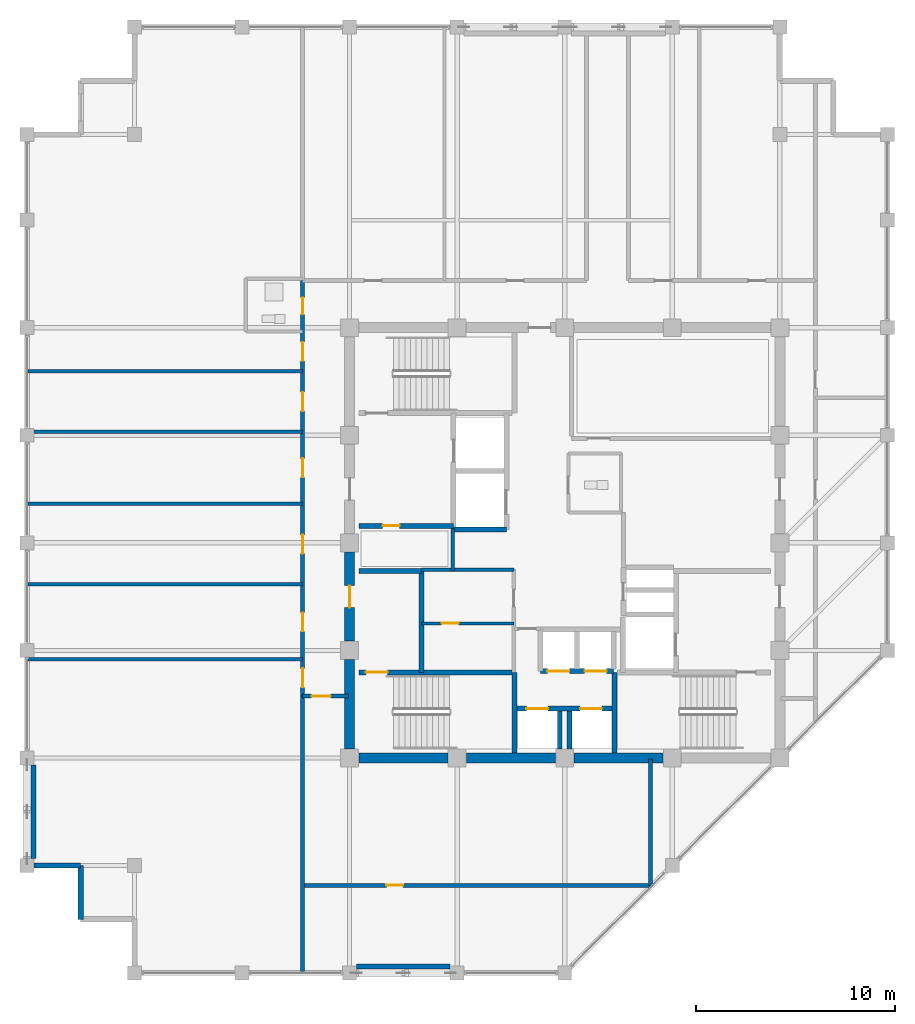
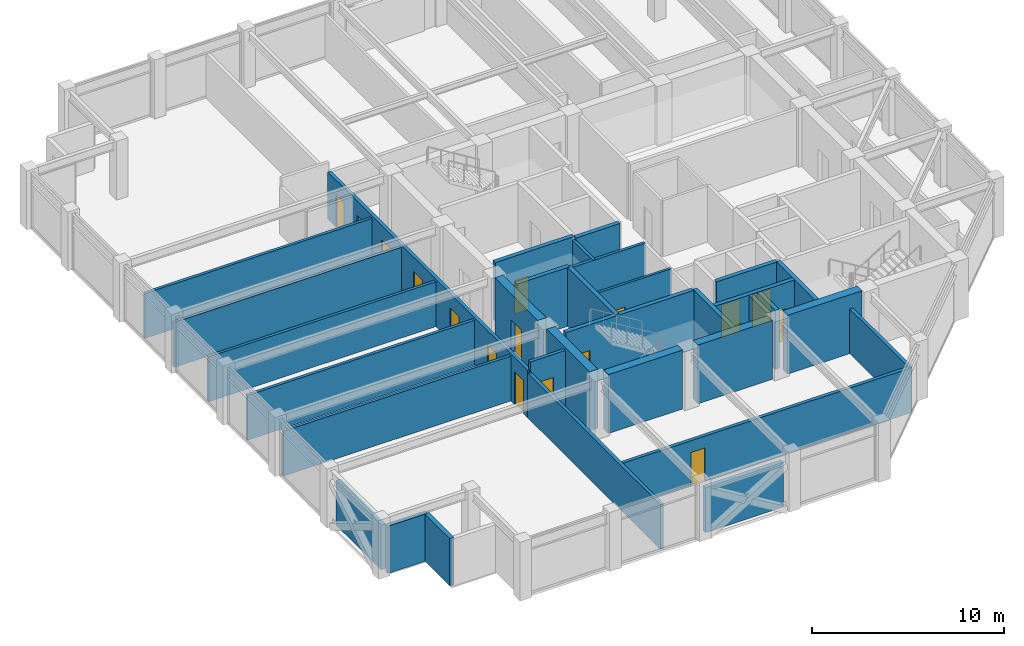
# One storey, part 26 of 30: 33 walls, 17 doors, 17 openings.
"""IFC4 building model written with IfcOpenShell, lengths in metres."""

import ifcopenshell
import ifcopenshell.guid

model = None  # the IFC model being written
_history = None  # IfcOwnerHistory: only IFC2X3 demands one
_inside = {}  # id of a spatial element -> (the spatial element, [elements in it])
_under = {}  # id of a project, library or spatial element -> (it, [spatial elements below it])
_declared = {}  # id of a project -> (the project, [libraries it declares])
_typed = {}  # id of a type object -> (the type object, [elements of that type])
_made_of = {}  # id of a material, layer set ... -> (it, [elements and type objects made of it])


def new_model(schema):
    """Start an empty IFC model of exactly this schema.

    Asked for "IFC4X3", IfcOpenShell would pick the latest addendum, in which some entities
    have other attributes; the version numbers below select the first issue.
    IFC2X3 requires an IfcOwnerHistory on every rooted entity: one is made here for all.
    """
    global model, _history
    if schema == "IFC4X3":
        model = ifcopenshell.file(schema_version=(4, 3, 0, 0))
    else:
        model = ifcopenshell.file(schema=schema)
    _inside.clear()
    _under.clear()
    _declared.clear()
    _typed.clear()
    _made_of.clear()
    _history = None
    if model.schema == "IFC2X3":
        org = make("IfcOrganization", Name="unknown")
        user = make(
            "IfcPersonAndOrganization",
            ThePerson=make("IfcPerson", FamilyName="unknown"),
            TheOrganization=org,
        )
        app = make(
            "IfcApplication",
            ApplicationDeveloper=org,
            Version="unknown",
            ApplicationFullName="unknown",
            ApplicationIdentifier="unknown",
        )
        _history = make(
            "IfcOwnerHistory",
            OwningUser=user,
            OwningApplication=app,
            ChangeAction="ADDED",
            CreationDate=0,
        )
    return model


def make(cls, **values):
    """One entity of the class cls with the attributes given. An attribute that is None is left unset."""
    return model.create_entity(
        cls, **{name: value for name, value in values.items() if value is not None}
    )


def rooted(cls, **values):
    """An entity with a GlobalId (a new one), such as an element, a storey or a relation."""
    return make(cls, GlobalId=ifcopenshell.guid.new(), OwnerHistory=_history, **values)


def si_unit(unit_type, name, prefix=None):
    """IfcSIUnit, for example si_unit("LENGTHUNIT", "METRE", prefix="MILLI")."""
    return make("IfcSIUnit", UnitType=unit_type, Prefix=prefix, Name=name)


def assignment(units):
    """IfcUnitAssignment: the units of a project."""
    return None if units is None else make("IfcUnitAssignment", Units=units)


def point(xyz):
    """IfcCartesianPoint."""
    return None if xyz is None else make("IfcCartesianPoint", Coordinates=xyz)


def direction(xyz):
    """IfcDirection."""
    return None if xyz is None else make("IfcDirection", DirectionRatios=xyz)


def frame(location, z_axis=None, x_axis=None):
    """IfcAxis2Placement3D, a coordinate frame: its origin and axes. An axis left out is left unset."""
    return make(
        "IfcAxis2Placement3D",
        Location=point(location),
        Axis=direction(z_axis),
        RefDirection=direction(x_axis),
    )


def frame_2d(location, x_axis=None):
    """IfcAxis2Placement2D, a coordinate frame in the plane: its origin and x axis."""
    return make(
        "IfcAxis2Placement2D", Location=point(location), RefDirection=direction(x_axis)
    )


def origin():
    """The frame at (0, 0, 0) with its axes left unset."""
    return frame((0.0, 0.0, 0.0))


def place(relative_to, where):
    """IfcLocalPlacement: puts the frame where relative to a parent placement (None: the world)."""
    return make(
        "IfcLocalPlacement", PlacementRelTo=relative_to, RelativePlacement=where
    )


def context(
    kind, dimensions, precision=None, world=None, true_north=None, identifier=None
):
    """IfcGeometricRepresentationContext, for example the 3D "Model" context."""
    return make(
        "IfcGeometricRepresentationContext",
        ContextIdentifier=identifier,
        ContextType=kind,
        CoordinateSpaceDimension=dimensions,
        Precision=precision,
        WorldCoordinateSystem=world,
        TrueNorth=true_north,
    )


def subcontext(parent, identifier, kind, view, scale=None):
    """IfcGeometricRepresentationSubContext, for example "Body" below "Model"."""
    return make(
        "IfcGeometricRepresentationSubContext",
        ContextIdentifier=identifier,
        ContextType=kind,
        ParentContext=parent,
        TargetScale=scale,
        TargetView=view,
    )


def project(units=None, contexts=None):
    """IfcProject with its units and contexts."""
    return rooted(
        "IfcProject",
        Name="project",
        RepresentationContexts=contexts,
        UnitsInContext=assignment(units),
    )


def spatial(cls, under=None, at=None, **own):
    """A site, building, storey or space (cls), placed at a placement, below another one or the project."""
    s = rooted(cls, ObjectPlacement=at, **own)
    if under is not None:
        _under.setdefault(under.id(), (under, []))[1].append(s)
    return s


def profile(cls, at=None, kind="AREA", **sizes):
    """A parametric profile (cls). Its sizes go by their IFC names, for example OverallWidth=200.0."""
    return make(cls, ProfileType=kind, Position=at, **sizes)


def rectangle(**sizes):
    """IfcRectangleProfileDef."""
    return profile("IfcRectangleProfileDef", **sizes)


def extrude(swept, where, along, depth):
    """IfcExtrudedAreaSolid: the profile swept, set in the frame where, extruded along a direction by depth."""
    return make(
        "IfcExtrudedAreaSolid",
        SweptArea=swept,
        Position=where,
        ExtrudedDirection=direction(along),
        Depth=depth,
    )


def shape(context_of_items, identifier, shape_type, items):
    """IfcShapeRepresentation: the items that make up one representation, for example the "Body"."""
    return make(
        "IfcShapeRepresentation",
        ContextOfItems=context_of_items,
        RepresentationIdentifier=identifier,
        RepresentationType=shape_type,
        Items=items,
    )


def material(Name=None, Category=None):
    """IfcMaterial."""
    return make("IfcMaterial", Name=Name, Category=Category)


def layer(
    of_material, thickness, ventilated=None, Name=None, Category=None, Priority=None
):
    """IfcMaterialLayer: one layer of a wall or slab, of a material (None: an air gap)."""
    return make(
        "IfcMaterialLayer",
        Material=of_material,
        LayerThickness=thickness,
        IsVentilated=ventilated,
        Name=Name,
        Category=Category,
        Priority=Priority,
    )


def layer_set(layers, Name=None):
    """IfcMaterialLayerSet."""
    return make("IfcMaterialLayerSet", MaterialLayers=layers, LayerSetName=Name)


def made_of(thing, what):
    """Note that an element or type object is made of a material, layer set ...; save() writes the relation."""
    if what is not None:
        _made_of.setdefault(what.id(), (what, []))[1].append(thing)
    return thing


def type_object(cls, material=None, **own):
    """A type object (cls), such as IfcWallType, which elements share."""
    return made_of(rooted(cls, **own), material)


def element(
    cls,
    number,
    at=None,
    inside=None,
    cuts=None,
    type_object=None,
    material=None,
    context=None,
    identifier="Body",
    shape_type=None,
    held_by="IfcProductDefinitionShape",
    body=None,
    shapes=None,
    **own,
):
    """One element of the class cls, such as IfcWall. Its Tag is "e" and its number.

    at: its placement. inside: the storey or other place that contains it. cuts: it is an
    opening in that element (IfcRelVoidsElement). A single representation is given by context,
    identifier, shape_type and body (its items); several are given by shapes. held_by: the class
    of the entity that holds the representations. save() writes the other relations.
    """
    e = rooted(cls, Tag="e%d" % number, ObjectPlacement=at, **own)
    if body is not None:
        shapes = [shape(context, identifier, shape_type, body)]
    if shapes is not None:
        e.Representation = make(held_by, Representations=shapes)
    if inside is not None:
        _inside.setdefault(inside.id(), (inside, []))[1].append(e)
    if cuts is not None:
        rooted(
            "IfcRelVoidsElement", RelatingBuildingElement=cuts, RelatedOpeningElement=e
        )
    if type_object is not None:
        _typed.setdefault(type_object.id(), (type_object, []))[1].append(e)
    return made_of(e, material)


def fill(opening, filler):
    """IfcRelFillsElement: the door or window that sits in an opening."""
    return rooted(
        "IfcRelFillsElement",
        RelatingOpeningElement=opening,
        RelatedBuildingElement=filler,
    )


def aggregate(whole, parts):
    """IfcRelAggregates: a whole, such as a stair, and the parts it consists of."""
    return rooted("IfcRelAggregates", RelatingObject=whole, RelatedObjects=parts)


def save(model, path):
    """Write the relations noted so far, then the file.

    IfcRelAggregates (storeys below a building ...), IfcRelContainedInSpatialStructure (elements
    in a storey), IfcRelDefinesByType, IfcRelAssociatesMaterial and IfcRelDeclares: one each for
    every whole, place, type object, material and project.
    """
    for whole, parts in _under.values():
        aggregate(whole, parts)
    for where, things in _inside.values():
        rooted(
            "IfcRelContainedInSpatialStructure",
            RelatedElements=things,
            RelatingStructure=where,
        )
    for kind, things in _typed.values():
        rooted("IfcRelDefinesByType", RelatedObjects=things, RelatingType=kind)
    for what, things in _made_of.values():
        rooted("IfcRelAssociatesMaterial", RelatedObjects=things, RelatingMaterial=what)
    for by, libraries in _declared.values():
        rooted("IfcRelDeclares", RelatingContext=by, RelatedDefinitions=libraries)
    model.write(path)


model = new_model("IFC4")

# Units and contexts
model_context = context("Model", 3, precision=1e-05, world=origin(), true_north=direction((0.0, 1.0)))
body_context = subcontext(model_context, "Body", "Model", "MODEL_VIEW")
ifc_project = project(units=[si_unit("LENGTHUNIT", "METRE"), si_unit("AREAUNIT", "SQUARE_METRE"), si_unit("VOLUMEUNIT", "CUBIC_METRE"), si_unit("PLANEANGLEUNIT", "RADIAN"), si_unit("MASSUNIT", "GRAM", prefix="KILO")], contexts=[model_context])

# Site, building, storey
site_placement = place(None, origin())
site = spatial("IfcSite", under=ifc_project, at=site_placement, CompositionType="ELEMENT")
building_placement = place(site_placement, origin())
building = spatial("IfcBuilding", under=site, at=building_placement, Name="Surkhivell Harbour Commons", CompositionType="ELEMENT")
storey_placement = place(building_placement, frame((0.0, 0.0, 296.25)))
storey = spatial("IfcBuildingStorey", under=building, at=storey_placement, Name="L77", CompositionType="ELEMENT", Elevation=296.25)

# Walls
ifc_material_1 = material(Name="Concrete C50/60", Category="concrete")
ifc_layer_1 = layer(ifc_material_1, 0.5)
ifc_layer_set_1 = layer_set([ifc_layer_1], Name="Concrete C50/60")
wall_type_1 = type_object("IfcWallType", Name="WAL-CORE-500", PredefinedType="SHEAR", material=ifc_layer_set_1)
for number, where, z_axis, x_axis, name in (
    (1, (-10.340087890625, -10.800048828125, 0.0), (0.0, 0.0, 1.0), (1.0, 0.0, 0.0), "L77 Core Shear Wall South 1"),
    (2, (-10.800048828125, -10.340087890625, 0.0), (0.0, 0.0, 1.0), (0.0, 1.0, 0.0), "L77 Core Shear Wall West 1"),
    (3, (-4.93994140625, -10.800048828125, 0.0), (0.0, 0.0, 1.0), (1.0, 0.0, 0.0), "L77 Core Shear Wall South 2"),
):
    element("IfcWall", number, at=place(storey_placement, frame(where, z_axis=z_axis, x_axis=x_axis)), inside=storey, type_object=wall_type_1, Name=name, PredefinedType="SHEAR", context=body_context, shape_type="SweptSolid", body=[
        extrude(rectangle(XDim=4.47998046875, YDim=0.5, at=frame_2d((2.239990234375, 0.0))), origin(), (0.0, 0.0, 1.0), 3.75),
    ])

# Wall, opening, door
wall_1_placement = place(storey_placement, frame((-10.800048828125, -4.93994140625, 0.0), z_axis=(0.0, 0.0, 1.0), x_axis=(0.0, 1.0, 0.0)))
wall_1 = element("IfcWall", 4, at=wall_1_placement, inside=storey, type_object=wall_type_1, Name="L77 Core Shear Wall West 2", PredefinedType="SHEAR", context=body_context, shape_type="SweptSolid", body=[
    extrude(rectangle(XDim=4.47998046875, YDim=0.5, at=frame_2d((2.239990234375, 0.0))), origin(), (0.0, 0.0, 1.0), 3.75),
])
opening_1_placement = place(wall_1_placement, frame((1.68994140625, 0.0, 0.0)))
opening_1 = element("IfcOpeningElement", 5, at=opening_1_placement, cuts=wall_1, Name="Opening ID-2", PredefinedType="OPENING", context=body_context, shape_type="SweptSolid", body=[
    extrude(rectangle(XDim=1.10009765625, YDim=2.10009765625, at=frame_2d((0.550048828125, 1.050048828125))), frame((0.0, 0.260009765625, 0.0), z_axis=(0.0, -1.0, 0.0), x_axis=(1.0, 0.0, 0.0)), (0.0, 0.0, 1.0), 0.52001953125),
])
ifc_material_2 = material(Name="Hardwood-veneered fire-rated door leaf", Category="wood")
door_type_1 = type_object("IfcDoorType", Name="DOR-FD60-1100", OperationType="NOTDEFINED", PredefinedType="DOOR", material=ifc_material_2)
door_1_placement = place(opening_1_placement, origin())
door_1 = element("IfcDoor", 6, at=door_1_placement, inside=storey, type_object=door_type_1, Name="L77 Stair 3 Lobby Corridor Door", OperationType="SINGLE_SWING_LEFT", OverallHeight=2.10009765625, OverallWidth=1.10009765625, PredefinedType="DOOR", context=body_context, shape_type="SweptSolid", body=[
    extrude(rectangle(XDim=1.10009765625, YDim=2.10009765625, at=frame_2d((0.550048828125, 1.050048828125))), frame((0.0, 0.02490234375, 0.0), z_axis=(0.0, -1.0, 0.0), x_axis=(1.0, 0.0, 0.0)), (0.0, 0.0, 1.0), 0.050048828125),
])
fill(opening_1, door_1)

# Walls
wall_2_placement = place(storey_placement, frame((0.4599609375, -10.800048828125, 0.0), z_axis=(0.0, 0.0, 1.0), x_axis=(1.0, 0.0, 0.0)))
element("IfcWall", 7, at=wall_2_placement, inside=storey, type_object=wall_type_1, Name="L77 Core Shear Wall South 3", PredefinedType="SHEAR", context=body_context, shape_type="SweptSolid", body=[
    extrude(rectangle(XDim=4.47998046875, YDim=0.5, at=frame_2d((2.239990234375, 0.0))), origin(), (0.0, 0.0, 1.0), 3.75),
])
ifc_material_3 = material(Name="Pale-metal insulated precast concrete C45/55", Category="concrete")
ifc_layer_2 = layer(ifc_material_3, 0.260009765625)
ifc_layer_set_2 = layer_set([ifc_layer_2], Name="Pale-metal insulated precast concrete C45/55")
wall_type_2 = type_object("IfcWallType", Name="WAL-EXT-MTL260", PredefinedType="STANDARD", material=ifc_layer_set_2)
wall_3_placement = place(storey_placement, frame((-10.451904296875, -21.264892578125, 0.0), z_axis=(0.0, 0.0, 1.0), x_axis=(1.0, 0.0, 0.0)))
element("IfcWall", 8, at=wall_3_placement, inside=storey, type_object=wall_type_2, Name="L77 Braced-Bay Insulated Spandrel Backing S", PredefinedType="STANDARD", context=body_context, shape_type="SweptSolid", body=[
    extrude(rectangle(XDim=4.703857421875, YDim=0.260009765625, at=frame_2d((2.35205078125, 0.0))), origin(), (0.0, 0.0, 1.0), 2.85693359375),
])
wall_4_placement = place(storey_placement, frame((-26.6650390625, -11.14794921875, 0.0), z_axis=(0.0, 0.0, 1.0), x_axis=(0.0, -1.0, 0.0)))
element("IfcWall", 9, at=wall_4_placement, inside=storey, type_object=wall_type_2, Name="L77 Braced-Bay Insulated Spandrel Backing W", PredefinedType="STANDARD", context=body_context, shape_type="SweptSolid", body=[
    extrude(rectangle(XDim=4.7041015625, YDim=0.260009765625, at=frame_2d((2.35205078125, 0.0))), origin(), (0.0, 0.0, 1.0), 2.85693359375),
])
wall_5_placement = place(storey_placement, frame((-26.652099609375, -16.199951171875, 0.0), z_axis=(0.0, 0.0, 1.0), x_axis=(1.0, 0.0, 0.0)))
element("IfcWall", 10, at=wall_5_placement, inside=storey, type_object=wall_type_2, Name="L77 Serrated Corner Facade Wall 13", PredefinedType="STANDARD", context=body_context, shape_type="SweptSolid", body=[
    extrude(rectangle(XDim=2.35205078125, YDim=0.260009765625, at=frame_2d((1.176025390625, 0.0))), origin(), (0.0, 0.0, 1.0), 3.012939453125),
])
wall_6_placement = place(storey_placement, frame((-24.300048828125, -16.199951171875, 0.0), z_axis=(0.0, 0.0, 1.0), x_axis=(0.0, -1.0, 0.0)))
element("IfcWall", 11, at=wall_6_placement, inside=storey, type_object=wall_type_2, Name="L77 Serrated Corner Facade Wall 14", PredefinedType="STANDARD", context=body_context, shape_type="SweptSolid", body=[
    extrude(rectangle(XDim=2.699951171875, YDim=0.260009765625, at=frame_2d((1.35009765625, 0.0))), origin(), (0.0, 0.0, 1.0), 3.012939453125),
])

# Wall, opening, door
ifc_material_4 = material(Name="Twin-stud acoustic fireboard partition", Category="other")
ifc_layer_3 = layer(ifc_material_4, 0.14990234375)
ifc_layer_set_3 = layer_set([ifc_layer_3], Name="Twin-stud acoustic fireboard partition")
wall_type_3 = type_object("IfcWallType", Name="WAL-INT-150", PredefinedType="PARTITIONING", material=ifc_layer_set_3)
wall_7_placement = place(storey_placement, frame((-7.179931640625, -4.050048828125, 0.0), z_axis=(0.0, 0.0, 1.0), x_axis=(1.0, 0.0, 0.0)))
wall_7 = element("IfcWall", 12, at=wall_7_placement, inside=storey, type_object=wall_type_3, Name="L77 Core Cut A Partition", PredefinedType="PARTITIONING", context=body_context, shape_type="SweptSolid", body=[
    extrude(rectangle(XDim=4.6298828125, YDim=0.14990234375, at=frame_2d((2.31494140625, 0.0))), origin(), (0.0, 0.0, 1.0), 3.570068359375),
])
opening_2_placement = place(wall_7_placement, frame((1.0, 0.0, 0.0)))
opening_2 = element("IfcOpeningElement", 13, at=opening_2_placement, cuts=wall_7, Name="Opening ID-6", PredefinedType="OPENING", context=body_context, shape_type="SweptSolid", body=[
    extrude(rectangle(XDim=0.85009765625, YDim=2.10009765625, at=frame_2d((0.425048828125, 1.050048828125))), frame((0.0, 0.0849609375, 0.0), z_axis=(0.0, -1.0, 0.0), x_axis=(1.0, 0.0, 0.0)), (0.0, 0.0, 1.0), 0.169921875),
])
door_type_2 = type_object("IfcDoorType", Name="DOR-FD30-850", OperationType="NOTDEFINED", PredefinedType="DOOR", material=ifc_material_2)
door_2_placement = place(opening_2_placement, origin())
door_2 = element("IfcDoor", 14, at=door_2_placement, inside=storey, type_object=door_type_2, Name="L77 Linen Room Door", OperationType="SINGLE_SWING_RIGHT", OverallHeight=2.10009765625, OverallWidth=0.85009765625, PredefinedType="DOOR", context=body_context, shape_type="SweptSolid", body=[
    extrude(rectangle(XDim=0.85009765625, YDim=2.10009765625, at=frame_2d((0.425048828125, 1.050048828125))), frame((0.0, 0.02490234375, 0.0), z_axis=(0.0, -1.0, 0.0), x_axis=(1.0, 0.0, 0.0)), (0.0, 0.0, 1.0), 0.050048828125),
])
fill(opening_2, door_2)

# Walls
ifc_material_5 = material(Name="High-density acoustic blockwork fire partition", Category="masonry")
ifc_layer_4 = layer(ifc_material_5, 0.175048828125)
ifc_layer_set_4 = layer_set([ifc_layer_4], Name="High-density acoustic blockwork fire partition")
wall_type_4 = type_object("IfcWallType", Name="WAL-INT-175", PredefinedType="PARTITIONING", material=ifc_layer_set_4)
wall_8_placement = place(storey_placement, frame((-7.179931640625, -1.35009765625, 0.0), z_axis=(0.0, 0.0, 1.0), x_axis=(1.0, 0.0, 0.0)))
element("IfcWall", 15, at=wall_8_placement, inside=storey, type_object=wall_type_4, Name="L77 Core Service Bay North Wall", PredefinedType="PARTITIONING", context=body_context, shape_type="SweptSolid", body=[
    extrude(rectangle(XDim=4.6298828125, YDim=0.175048828125, at=frame_2d((2.31494140625, 0.0))), origin(), (0.0, 0.0, 1.0), 3.570068359375),
])
wall_9_placement = place(storey_placement, frame((-5.6201171875, -1.419921875, 0.0), z_axis=(0.0, 0.0, 1.0), x_axis=(0.0, 1.0, 0.0)))
element("IfcWall", 16, at=wall_9_placement, inside=storey, type_object=wall_type_4, Name="L77 West Core Bay East Wall", PredefinedType="PARTITIONING", context=body_context, shape_type="SweptSolid", body=[
    extrude(rectangle(XDim=2.139892578125, YDim=0.175048828125, at=frame_2d((1.06982421875, 0.0))), origin(), (0.0, 0.0, 1.0), 3.570068359375),
])
for number, where, z_axis, x_axis, name in (
    (17, (-26.93994140625, -2.090087890625, 0.0), (0.0, 0.0, 1.0), (1.0, 0.0, 0.0), "L77 West Partition BDP1"),
    (18, (-26.93994140625, 1.9599609375, 0.0), (0.0, 0.0, 1.0), (1.0, 0.0, 0.0), "L77 West Partition BDP2"),
    (19, (-26.93994140625, 5.570068359375, 0.0), (0.0, 0.0, 1.0), (1.0, 0.0, 0.0), "L77 West Partition BDP3"),
    (20, (-26.93994140625, -5.85009765625, 0.0), (0.0, 0.0, 1.0), (1.0, 0.0, 0.0), "L77 West Partition PBOT"),
    (21, (-26.93994140625, 8.610107421875, 0.0), (0.0, 0.0, 1.0), (1.0, 0.0, 0.0), "L77 West Partition PTOP"),
):
    element("IfcWall", number, at=place(storey_placement, frame(where, z_axis=z_axis, x_axis=x_axis)), inside=storey, type_object=wall_type_4, Name=name, PredefinedType="PARTITIONING", context=body_context, shape_type="SweptSolid", body=[
        extrude(rectangle(XDim=13.780029296875, YDim=0.175048828125, at=frame_2d((6.89013671875, 0.0))), origin(), (0.0, 0.0, 1.0), 2.85693359375),
    ])
ifc_material_6 = material(Name="Autoclaved aerated concrete blockwork and fire plaster", Category="masonry")
ifc_layer_5 = layer(ifc_material_6, 0.199951171875)
ifc_layer_set_5 = layer_set([ifc_layer_5], Name="Autoclaved aerated concrete blockwork and fire plaster")
wall_type_5 = type_object("IfcWallType", Name="WAL-INT-200", PredefinedType="PARTITIONING", material=ifc_layer_set_5)
wall_10_placement = place(storey_placement, frame((4.300048828125, -17.215087890625, 0.0), z_axis=(0.0, 0.0, 1.0), x_axis=(0.0, 1.0, 0.0)))
element("IfcWall", 22, at=wall_10_placement, inside=storey, type_object=wall_type_5, Name="L77 South Hall East Wall", PredefinedType="PARTITIONING", context=body_context, shape_type="SweptSolid", body=[
    extrude(rectangle(XDim=6.364990234375, YDim=0.199951171875, at=frame_2d((3.1826171875, 0.0))), origin(), (0.0, 0.0, 1.0), 2.85693359375),
])

# Wall, opening, door
wall_11_placement = place(storey_placement, frame((-13.159912109375, -17.199951171875, 0.0), z_axis=(0.0, 0.0, 1.0), x_axis=(1.0, 0.0, 0.0)))
wall_11 = element("IfcWall", 23, at=wall_11_placement, inside=storey, type_object=wall_type_5, Name="L77 South Wing Horizontal Partition", PredefinedType="PARTITIONING", context=body_context, shape_type="SweptSolid", body=[
    extrude(rectangle(XDim=17.4599609375, YDim=0.199951171875, at=frame_2d((8.72998046875, 0.0))), origin(), (0.0, 0.0, 1.0), 2.85693359375),
])
opening_3_placement = place(wall_11_placement, frame((4.199951171875, 0.0, 0.0)))
opening_3 = element("IfcOpeningElement", 24, at=opening_3_placement, cuts=wall_11, Name="Opening ID-6", PredefinedType="OPENING", context=body_context, shape_type="SweptSolid", body=[
    extrude(rectangle(XDim=0.85009765625, YDim=2.10009765625, at=frame_2d((0.425048828125, 1.050048828125))), frame((0.0, 0.10986328125, 0.0), z_axis=(0.0, -1.0, 0.0), x_axis=(1.0, 0.0, 0.0)), (0.0, 0.0, 1.0), 0.219970703125),
])
door_3_placement = place(opening_3_placement, origin())
door_3 = element("IfcDoor", 25, at=door_3_placement, inside=storey, type_object=door_type_2, Name="L77 South Music Door", OperationType="SINGLE_SWING_RIGHT", OverallHeight=2.10009765625, OverallWidth=0.85009765625, PredefinedType="DOOR", context=body_context, shape_type="SweptSolid", body=[
    extrude(rectangle(XDim=0.85009765625, YDim=2.10009765625, at=frame_2d((0.425048828125, 1.050048828125))), frame((0.0, 0.02490234375, 0.0), z_axis=(0.0, -1.0, 0.0), x_axis=(1.0, 0.0, 0.0)), (0.0, 0.0, 1.0), 0.050048828125),
])
fill(opening_3, door_3)

# Wall
wall_12_placement = place(storey_placement, frame((-13.159912109375, -21.5400390625, 0.0), z_axis=(0.0, 0.0, 1.0), x_axis=(0.0, 1.0, 0.0)))
element("IfcWall", 26, at=wall_12_placement, inside=storey, type_object=wall_type_5, Name="L77 South Hall West Divider", PredefinedType="PARTITIONING", context=body_context, shape_type="SweptSolid", body=[
    extrude(rectangle(XDim=13.840087890625, YDim=0.199951171875, at=frame_2d((6.919921875, 0.0))), origin(), (0.0, 0.0, 1.0), 2.85693359375),
])

# Wall, openings, doors
wall_13_placement = place(storey_placement, frame((-13.159912109375, -7.699951171875, 0.0), z_axis=(0.0, 0.0, 1.0), x_axis=(0.0, 1.0, 0.0)))
wall_13 = element("IfcWall", 27, at=wall_13_placement, inside=storey, type_object=wall_type_5, Name="L77 West Corridor Wall", PredefinedType="PARTITIONING", context=body_context, shape_type="SweptSolid", body=[
    extrude(rectangle(XDim=20.85986328125, YDim=0.199951171875, at=frame_2d((10.429931640625, 0.0))), origin(), (0.0, 0.0, 1.0), 3.012939453125),
])
opening_4_placement = place(wall_13_placement, frame((0.445068359375, 0.0, 0.0)))
opening_4 = element("IfcOpeningElement", 28, at=opening_4_placement, cuts=wall_13, Name="Opening ID-4", PredefinedType="OPENING", context=body_context, shape_type="SweptSolid", body=[
    extrude(rectangle(XDim=0.949951171875, YDim=2.10009765625, at=frame_2d((0.47509765625, 1.050048828125))), frame((0.0, 0.10986328125, 0.0), z_axis=(0.0, -1.0, 0.0), x_axis=(1.0, 0.0, 0.0)), (0.0, 0.0, 1.0), 0.219970703125),
])
opening_5_placement = place(wall_13_placement, frame((19.1650390625, 0.0, 0.0)))
opening_5 = element("IfcOpeningElement", 29, at=opening_5_placement, cuts=wall_13, Name="Opening ID-6", PredefinedType="OPENING", context=body_context, shape_type="SweptSolid", body=[
    extrude(rectangle(XDim=0.85009765625, YDim=2.10009765625, at=frame_2d((0.425048828125, 1.050048828125))), frame((0.0, 0.10986328125, 0.0), z_axis=(0.0, -1.0, 0.0), x_axis=(1.0, 0.0, 0.0)), (0.0, 0.0, 1.0), 0.219970703125),
])
opening_6_placement = place(wall_13_placement, frame((16.830078125, 0.0, 0.0)))
opening_6 = element("IfcOpeningElement", 30, at=opening_6_placement, cuts=wall_13, Name="Opening ID-4", PredefinedType="OPENING", context=body_context, shape_type="SweptSolid", body=[
    extrude(rectangle(XDim=0.949951171875, YDim=2.10009765625, at=frame_2d((0.47509765625, 1.050048828125))), frame((0.0, 0.10986328125, 0.0), z_axis=(0.0, -1.0, 0.0), x_axis=(1.0, 0.0, 0.0)), (0.0, 0.0, 1.0), 0.219970703125),
])
opening_7_placement = place(wall_13_placement, frame((3.25, 0.0, 0.0)))
opening_7 = element("IfcOpeningElement", 31, at=opening_7_placement, cuts=wall_13, Name="Opening ID-4", PredefinedType="OPENING", context=body_context, shape_type="SweptSolid", body=[
    extrude(rectangle(XDim=0.949951171875, YDim=2.10009765625, at=frame_2d((0.47509765625, 1.050048828125))), frame((0.0, 0.10986328125, 0.0), z_axis=(0.0, -1.0, 0.0), x_axis=(1.0, 0.0, 0.0)), (0.0, 0.0, 1.0), 0.219970703125),
])
opening_8_placement = place(wall_13_placement, frame((7.155029296875, 0.0, 0.0)))
opening_8 = element("IfcOpeningElement", 32, at=opening_8_placement, cuts=wall_13, Name="Opening ID-4", PredefinedType="OPENING", context=body_context, shape_type="SweptSolid", body=[
    extrude(rectangle(XDim=0.949951171875, YDim=2.10009765625, at=frame_2d((0.47509765625, 1.050048828125))), frame((0.0, 0.10986328125, 0.0), z_axis=(0.0, -1.0, 0.0), x_axis=(1.0, 0.0, 0.0)), (0.0, 0.0, 1.0), 0.219970703125),
])
opening_9_placement = place(wall_13_placement, frame((10.985107421875, 0.0, 0.0)))
opening_9 = element("IfcOpeningElement", 33, at=opening_9_placement, cuts=wall_13, Name="Opening ID-4", PredefinedType="OPENING", context=body_context, shape_type="SweptSolid", body=[
    extrude(rectangle(XDim=0.949951171875, YDim=2.10009765625, at=frame_2d((0.47509765625, 1.050048828125))), frame((0.0, 0.10986328125, 0.0), z_axis=(0.0, -1.0, 0.0), x_axis=(1.0, 0.0, 0.0)), (0.0, 0.0, 1.0), 0.219970703125),
])
opening_10_placement = place(wall_13_placement, frame((14.31005859375, 0.0, 0.0)))
opening_10 = element("IfcOpeningElement", 34, at=opening_10_placement, cuts=wall_13, Name="Opening ID-4", PredefinedType="OPENING", context=body_context, shape_type="SweptSolid", body=[
    extrude(rectangle(XDim=0.949951171875, YDim=2.10009765625, at=frame_2d((0.47509765625, 1.050048828125))), frame((0.0, 0.10986328125, 0.0), z_axis=(0.0, -1.0, 0.0), x_axis=(1.0, 0.0, 0.0)), (0.0, 0.0, 1.0), 0.219970703125),
])
door_4_placement = place(opening_5_placement, origin())
door_4 = element("IfcDoor", 35, at=door_4_placement, inside=storey, type_object=door_type_2, Name="L77 Communal Shower Bathroom West Door", OperationType="SINGLE_SWING_LEFT", OverallHeight=2.10009765625, OverallWidth=0.85009765625, PredefinedType="DOOR", context=body_context, shape_type="SweptSolid", body=[
    extrude(rectangle(XDim=0.85009765625, YDim=2.10009765625, at=frame_2d((0.425048828125, 1.050048828125))), frame((0.0, 0.02490234375, 0.0), z_axis=(0.0, -1.0, 0.0), x_axis=(1.0, 0.0, 0.0)), (0.0, 0.0, 1.0), 0.050048828125),
])
fill(opening_5, door_4)
door_type_3 = type_object("IfcDoorType", Name="DOR-FD60-950", OperationType="NOTDEFINED", PredefinedType="DOOR", material=ifc_material_2)
door_5_placement = place(opening_4_placement, origin())
door_5 = element("IfcDoor", 36, at=door_5_placement, inside=storey, type_object=door_type_3, Name="L77 Shared Communal Kitchen West Door", OperationType="SINGLE_SWING_RIGHT", OverallHeight=2.10009765625, OverallWidth=0.949951171875, PredefinedType="DOOR", context=body_context, shape_type="SweptSolid", body=[
    extrude(rectangle(XDim=0.949951171875, YDim=2.10009765625, at=frame_2d((0.47509765625, 1.050048828125))), frame((0.0, 0.02490234375, 0.0), z_axis=(0.0, -1.0, 0.0), x_axis=(1.0, 0.0, 0.0)), (0.0, 0.0, 1.0), 0.050048828125),
])
fill(opening_4, door_5)
door_6_placement = place(opening_6_placement, origin())
door_6 = element("IfcDoor", 37, at=door_6_placement, inside=storey, type_object=door_type_3, Name="L77 Academic Reading Commons West Door", OperationType="SINGLE_SWING_RIGHT", OverallHeight=2.10009765625, OverallWidth=0.949951171875, PredefinedType="DOOR", context=body_context, shape_type="SweptSolid", body=[
    extrude(rectangle(XDim=0.949951171875, YDim=2.10009765625, at=frame_2d((0.47509765625, 1.050048828125))), frame((0.0, 0.02490234375, 0.0), z_axis=(0.0, -1.0, 0.0), x_axis=(1.0, 0.0, 0.0)), (0.0, 0.0, 1.0), 0.050048828125),
])
fill(opening_6, door_6)
door_7_placement = place(opening_7_placement, origin())
door_7 = element("IfcDoor", 38, at=door_7_placement, inside=storey, type_object=door_type_3, Name="L77 Hostel Cluster Bedroom 1 West Door", OperationType="SINGLE_SWING_LEFT", OverallHeight=2.10009765625, OverallWidth=0.949951171875, PredefinedType="DOOR", context=body_context, shape_type="SweptSolid", body=[
    extrude(rectangle(XDim=0.949951171875, YDim=2.10009765625, at=frame_2d((0.47509765625, 1.050048828125))), frame((0.0, 0.02490234375, 0.0), z_axis=(0.0, -1.0, 0.0), x_axis=(1.0, 0.0, 0.0)), (0.0, 0.0, 1.0), 0.050048828125),
])
fill(opening_7, door_7)
door_8_placement = place(opening_8_placement, origin())
door_8 = element("IfcDoor", 39, at=door_8_placement, inside=storey, type_object=door_type_3, Name="L77 Co-Living Dormitory Bedroom 2 West Door", OperationType="SINGLE_SWING_RIGHT", OverallHeight=2.10009765625, OverallWidth=0.949951171875, PredefinedType="DOOR", context=body_context, shape_type="SweptSolid", body=[
    extrude(rectangle(XDim=0.949951171875, YDim=2.10009765625, at=frame_2d((0.47509765625, 1.050048828125))), frame((0.0, 0.02490234375, 0.0), z_axis=(0.0, -1.0, 0.0), x_axis=(1.0, 0.0, 0.0)), (0.0, 0.0, 1.0), 0.050048828125),
])
fill(opening_8, door_8)
door_9_placement = place(opening_9_placement, origin())
door_9 = element("IfcDoor", 40, at=door_9_placement, inside=storey, type_object=door_type_3, Name="L77 Hostel Cluster Bedroom 3 West Door", OperationType="SINGLE_SWING_LEFT", OverallHeight=2.10009765625, OverallWidth=0.949951171875, PredefinedType="DOOR", context=body_context, shape_type="SweptSolid", body=[
    extrude(rectangle(XDim=0.949951171875, YDim=2.10009765625, at=frame_2d((0.47509765625, 1.050048828125))), frame((0.0, 0.02490234375, 0.0), z_axis=(0.0, -1.0, 0.0), x_axis=(1.0, 0.0, 0.0)), (0.0, 0.0, 1.0), 0.050048828125),
])
fill(opening_9, door_9)
door_10_placement = place(opening_10_placement, origin())
door_10 = element("IfcDoor", 41, at=door_10_placement, inside=storey, type_object=door_type_3, Name="L77 Co-Living Dormitory Bedroom 4 West Door", OperationType="SINGLE_SWING_RIGHT", OverallHeight=2.10009765625, OverallWidth=0.949951171875, PredefinedType="DOOR", context=body_context, shape_type="SweptSolid", body=[
    extrude(rectangle(XDim=0.949951171875, YDim=2.10009765625, at=frame_2d((0.47509765625, 1.050048828125))), frame((0.0, 0.02490234375, 0.0), z_axis=(0.0, -1.0, 0.0), x_axis=(1.0, 0.0, 0.0)), (0.0, 0.0, 1.0), 0.050048828125),
])
fill(opening_10, door_10)

# Wall, opening, door
wall_14_placement = place(storey_placement, frame((-13.159912109375, -7.699951171875, 0.0), z_axis=(0.0, 0.0, 1.0), x_axis=(1.0, 0.0, 0.0)))
wall_14 = element("IfcWall", 42, at=wall_14_placement, inside=storey, type_object=wall_type_5, Name="L77 West Corridor South Portal Wall", PredefinedType="PARTITIONING", context=body_context, shape_type="SweptSolid", body=[
    extrude(rectangle(XDim=2.309814453125, YDim=0.199951171875, at=frame_2d((1.15478515625, 0.0))), origin(), (0.0, 0.0, 1.0), 3.570068359375),
])
opening_11_placement = place(wall_14_placement, frame((0.449951171875, 0.0, 0.0)))
opening_11 = element("IfcOpeningElement", 43, at=opening_11_placement, cuts=wall_14, Name="Opening ID-4", PredefinedType="OPENING", context=body_context, shape_type="SweptSolid", body=[
    extrude(rectangle(XDim=0.949951171875, YDim=2.10009765625, at=frame_2d((0.47509765625, 1.050048828125))), frame((0.0, 0.10986328125, 0.0), z_axis=(0.0, -1.0, 0.0), x_axis=(1.0, 0.0, 0.0)), (0.0, 0.0, 1.0), 0.219970703125),
])
door_11_placement = place(opening_11_placement, origin())
door_11 = element("IfcDoor", 44, at=door_11_placement, inside=storey, type_object=door_type_3, Name="L77 South Dining Door", OperationType="SINGLE_SWING_RIGHT", OverallHeight=2.10009765625, OverallWidth=0.949951171875, PredefinedType="DOOR", context=body_context, shape_type="SweptSolid", body=[
    extrude(rectangle(XDim=0.949951171875, YDim=2.10009765625, at=frame_2d((0.47509765625, 1.050048828125))), frame((0.0, 0.02490234375, 0.0), z_axis=(0.0, -1.0, 0.0), x_axis=(1.0, 0.0, 0.0)), (0.0, 0.0, 1.0), 0.050048828125),
])
fill(opening_11, door_11)

ifc_layer_6 = layer(ifc_material_1, 0.25)
ifc_layer_set_6 = layer_set([ifc_layer_6], Name="Concrete C50/60")
wall_type_6 = type_object("IfcWallType", Name="WAL-SHAFT-250", PredefinedType="SHEAR", material=ifc_layer_set_6)
wall_15_placement = place(storey_placement, frame((-10.340087890625, 0.85009765625, 0.0), z_axis=(0.0, 0.0, 1.0), x_axis=(1.0, 0.0, 0.0)))
wall_15 = element("IfcWall", 45, at=wall_15_placement, inside=storey, type_object=wall_type_6, Name="L77 Firefighting Lobby 1 South Wall", PredefinedType="SHEAR", context=body_context, shape_type="SweptSolid", body=[
    extrude(rectangle(XDim=4.760009765625, YDim=0.25, at=frame_2d((2.3798828125, 0.0))), origin(), (0.0, 0.0, 1.0), 3.75),
])
opening_12_placement = place(wall_15_placement, frame((1.199951171875, 0.0, 0.0)))
opening_12 = element("IfcOpeningElement", 46, at=opening_12_placement, cuts=wall_15, Name="Opening ID-6", PredefinedType="OPENING", context=body_context, shape_type="SweptSolid", body=[
    extrude(rectangle(XDim=0.85009765625, YDim=2.10009765625, at=frame_2d((0.425048828125, 1.050048828125))), frame((0.0, 0.135009765625, 0.0), z_axis=(0.0, -1.0, 0.0), x_axis=(1.0, 0.0, 0.0)), (0.0, 0.0, 1.0), 0.27001953125),
])
door_12_placement = place(opening_12_placement, origin())
door_12 = element("IfcDoor", 47, at=door_12_placement, inside=storey, type_object=door_type_2, Name="L77 West Quiet Study Door", OperationType="SINGLE_SWING_RIGHT", OverallHeight=2.10009765625, OverallWidth=0.85009765625, PredefinedType="DOOR", context=body_context, shape_type="SweptSolid", body=[
    extrude(rectangle(XDim=0.85009765625, YDim=2.10009765625, at=frame_2d((0.425048828125, 1.050048828125))), frame((0.0, 0.02490234375, 0.0), z_axis=(0.0, -1.0, 0.0), x_axis=(1.0, 0.0, 0.0)), (0.0, 0.0, 1.0), 0.050048828125),
])
fill(opening_12, door_12)

# Walls
for number, where, z_axis, x_axis, name in (
    (48, (-0.25, -10.35009765625, 0.0), (0.0, 0.0, 1.0), (0.0, 1.0, 0.0), "L77 High-Rise Side Wall S"),
    (49, (0.25, -10.35009765625, 0.0), (0.0, 0.0, 1.0), (0.0, 1.0, 0.0), "L77 High-Rise Side Wall S"),
):
    element("IfcWall", number, at=place(storey_placement, frame(where, z_axis=z_axis, x_axis=x_axis)), inside=storey, type_object=wall_type_6, Name=name, PredefinedType="SHEAR", context=body_context, shape_type="SweptSolid", body=[
        extrude(rectangle(XDim=1.91015625, YDim=0.25, at=frame_2d((0.955078125, 0.0))), origin(), (0.0, 0.0, 1.0), 3.75),
    ])

# Wall, openings, doors
wall_16_placement = place(storey_placement, frame((-1.219970703125, -6.43994140625, 0.0), z_axis=(0.0, 0.0, 1.0), x_axis=(1.0, 0.0, 0.0)))
wall_16 = element("IfcWall", 50, at=wall_16_placement, inside=storey, type_object=wall_type_6, Name="L77 High-Rise North Front Shaft Wall", PredefinedType="SHEAR", context=body_context, shape_type="SweptSolid", body=[
    extrude(rectangle(XDim=3.669921875, YDim=0.25, at=frame_2d((1.8349609375, 0.0))), origin(), (0.0, 0.0, 1.0), 3.75),
])
opening_13_placement = place(wall_16_placement, frame((0.35009765625, 0.0, 0.0)))
opening_13 = element("IfcOpeningElement", 51, at=opening_13_placement, cuts=wall_16, Name="Opening LD-1", PredefinedType="OPENING", context=body_context, shape_type="SweptSolid", body=[
    extrude(rectangle(XDim=1.10009765625, YDim=2.10009765625, at=frame_2d((0.550048828125, 1.050048828125))), frame((0.0, 0.135009765625, 0.0), z_axis=(0.0, -1.0, 0.0), x_axis=(1.0, 0.0, 0.0)), (0.0, 0.0, 1.0), 0.27001953125),
])
opening_14_placement = place(wall_16_placement, frame((2.219970703125, 0.0, 0.0)))
opening_14 = element("IfcOpeningElement", 52, at=opening_14_placement, cuts=wall_16, Name="Opening LD-1", PredefinedType="OPENING", context=body_context, shape_type="SweptSolid", body=[
    extrude(rectangle(XDim=1.10009765625, YDim=2.10009765625, at=frame_2d((0.550048828125, 1.050048828125))), frame((0.0, 0.135009765625, 0.0), z_axis=(0.0, -1.0, 0.0), x_axis=(1.0, 0.0, 0.0)), (0.0, 0.0, 1.0), 0.27001953125),
])
ifc_material_7 = material(Name="Brushed stainless steel S355", Category="steel")
door_type_4 = type_object("IfcDoorType", Name="DOR-LD-1100", OperationType="SLIDING_TO_LEFT", PredefinedType="DOOR", material=ifc_material_7)
door_13_placement = place(opening_13_placement, origin())
door_13 = element("IfcDoor", 53, at=door_13_placement, inside=storey, type_object=door_type_4, Name="L77 Lift Landing Door LD-PH1", OperationType="SLIDING_TO_LEFT", OverallHeight=2.10009765625, OverallWidth=1.10009765625, PredefinedType="DOOR", context=body_context, shape_type="SweptSolid", body=[
    extrude(rectangle(XDim=1.10009765625, YDim=2.10009765625, at=frame_2d((0.550048828125, 1.050048828125))), frame((0.0, 0.02490234375, 0.0), z_axis=(0.0, -1.0, 0.0), x_axis=(1.0, 0.0, 0.0)), (0.0, 0.0, 1.0), 0.050048828125),
])
fill(opening_13, door_13)
door_14_placement = place(opening_14_placement, origin())
door_14 = element("IfcDoor", 54, at=door_14_placement, inside=storey, type_object=door_type_4, Name="L77 Lift Landing Door LD-PH2", OperationType="SLIDING_TO_LEFT", OverallHeight=2.10009765625, OverallWidth=1.10009765625, PredefinedType="DOOR", context=body_context, shape_type="SweptSolid", body=[
    extrude(rectangle(XDim=1.10009765625, YDim=2.10009765625, at=frame_2d((0.550048828125, 1.050048828125))), frame((0.0, 0.02490234375, 0.0), z_axis=(0.0, -1.0, 0.0), x_axis=(1.0, 0.0, 0.0)), (0.0, 0.0, 1.0), 0.050048828125),
])
fill(opening_14, door_14)

wall_17_placement = place(storey_placement, frame((-2.47998046875, -8.320068359375, 0.0), z_axis=(0.0, 0.0, 1.0), x_axis=(1.0, 0.0, 0.0)))
wall_17 = element("IfcWall", 55, at=wall_17_placement, inside=storey, type_object=wall_type_6, Name="L77 High-Rise South Front Shaft Wall", PredefinedType="SHEAR", context=body_context, shape_type="SweptSolid", body=[
    extrude(rectangle(XDim=4.929931640625, YDim=0.25, at=frame_2d((2.46484375, 0.0))), origin(), (0.0, 0.0, 1.0), 3.75),
])
opening_15_placement = place(wall_17_placement, frame((0.550048828125, 0.0, 0.0)))
opening_15 = element("IfcOpeningElement", 56, at=opening_15_placement, cuts=wall_17, Name="Opening LD-1", PredefinedType="OPENING", context=body_context, shape_type="SweptSolid", body=[
    extrude(rectangle(XDim=1.10009765625, YDim=2.10009765625, at=frame_2d((0.550048828125, 1.050048828125))), frame((0.0, 0.135009765625, 0.0), z_axis=(0.0, -1.0, 0.0), x_axis=(1.0, 0.0, 0.0)), (0.0, 0.0, 1.0), 0.27001953125),
])
opening_16_placement = place(wall_17_placement, frame((3.25, 0.0, 0.0)))
opening_16 = element("IfcOpeningElement", 57, at=opening_16_placement, cuts=wall_17, Name="Opening LD-1", PredefinedType="OPENING", context=body_context, shape_type="SweptSolid", body=[
    extrude(rectangle(XDim=1.10009765625, YDim=2.10009765625, at=frame_2d((0.550048828125, 1.050048828125))), frame((0.0, 0.135009765625, 0.0), z_axis=(0.0, -1.0, 0.0), x_axis=(1.0, 0.0, 0.0)), (0.0, 0.0, 1.0), 0.27001953125),
])
door_15_placement = place(opening_15_placement, origin())
door_15 = element("IfcDoor", 58, at=door_15_placement, inside=storey, type_object=door_type_4, Name="L77 Lift Landing Door LD-PH3", OperationType="SLIDING_TO_LEFT", OverallHeight=2.10009765625, OverallWidth=1.10009765625, PredefinedType="DOOR", context=body_context, shape_type="SweptSolid", body=[
    extrude(rectangle(XDim=1.10009765625, YDim=2.10009765625, at=frame_2d((0.550048828125, 1.050048828125))), frame((0.0, 0.02490234375, 0.0), z_axis=(0.0, -1.0, 0.0), x_axis=(1.0, 0.0, 0.0)), (0.0, 0.0, 1.0), 0.050048828125),
])
fill(opening_15, door_15)
door_16_placement = place(opening_16_placement, origin())
door_16 = element("IfcDoor", 59, at=door_16_placement, inside=storey, type_object=door_type_4, Name="L77 Lift Landing Door LD-PH4", OperationType="SLIDING_TO_LEFT", OverallHeight=2.10009765625, OverallWidth=1.10009765625, PredefinedType="DOOR", context=body_context, shape_type="SweptSolid", body=[
    extrude(rectangle(XDim=1.10009765625, YDim=2.10009765625, at=frame_2d((0.550048828125, 1.050048828125))), frame((0.0, 0.02490234375, 0.0), z_axis=(0.0, -1.0, 0.0), x_axis=(1.0, 0.0, 0.0)), (0.0, 0.0, 1.0), 0.050048828125),
])
fill(opening_16, door_16)

# Walls
for number, where, z_axis, x_axis, name in (
    (60, (2.510009765625, -10.550048828125, 0.0), (0.0, 0.0, 1.0), (0.0, 1.0, 0.0), "L77 Stair ST2 West Shear Wall"),
    (61, (-2.510009765625, -10.550048828125, 0.0), (0.0, 0.0, 1.0), (0.0, 1.0, 0.0), "L77 Stair ST3 East Shear Wall"),
):
    element("IfcWall", number, at=place(storey_placement, frame(where, z_axis=z_axis, x_axis=x_axis)), inside=storey, type_object=wall_type_6, Name=name, PredefinedType="SHEAR", context=body_context, shape_type="SweptSolid", body=[
        extrude(rectangle(XDim=4.0400390625, YDim=0.25, at=frame_2d((2.02001953125, 0.0))), origin(), (0.0, 0.0, 1.0), 3.75),
    ])
wall_18_placement = place(storey_placement, frame((-7.179931640625, -6.510009765625, 0.0), z_axis=(0.0, 0.0, 1.0), x_axis=(0.0, 1.0, 0.0)))
element("IfcWall", 62, at=wall_18_placement, inside=storey, type_object=wall_type_6, Name="L77 Stair 3 Lobby East Wall", PredefinedType="SHEAR", context=body_context, shape_type="SweptSolid", body=[
    extrude(rectangle(XDim=5.090087890625, YDim=0.25, at=frame_2d((2.544921875, 0.0))), origin(), (0.0, 0.0, 1.0), 3.75),
])
wall_19_placement = place(storey_placement, frame((-10.340087890625, -1.419921875, 0.0), z_axis=(0.0, 0.0, 1.0), x_axis=(1.0, 0.0, 0.0)))
element("IfcWall", 63, at=wall_19_placement, inside=storey, type_object=wall_type_6, Name="L77 Stair 3 Lobby North Wall", PredefinedType="SHEAR", context=body_context, shape_type="SweptSolid", body=[
    extrude(rectangle(XDim=3.16015625, YDim=0.25, at=frame_2d((1.580078125, 0.0))), origin(), (0.0, 0.0, 1.0), 3.75),
])

# Wall, opening, door
wall_20_placement = place(storey_placement, frame((-10.340087890625, -6.510009765625, 0.0), z_axis=(0.0, 0.0, 1.0), x_axis=(1.0, 0.0, 0.0)))
wall_20 = element("IfcWall", 64, at=wall_20_placement, inside=storey, type_object=wall_type_6, Name="L77 Stair ST3 North Shear Wall", PredefinedType="SHEAR", context=body_context, shape_type="SweptSolid", body=[
    extrude(rectangle(XDim=7.7001953125, YDim=0.25, at=frame_2d((3.85009765625, 0.0))), origin(), (0.0, 0.0, 1.0), 3.75),
])
opening_17_placement = place(wall_20_placement, frame((0.35009765625, 0.0, 0.0)))
opening_17 = element("IfcOpeningElement", 65, at=opening_17_placement, cuts=wall_20, Name="Opening ID-2", PredefinedType="OPENING", context=body_context, shape_type="SweptSolid", body=[
    extrude(rectangle(XDim=1.10009765625, YDim=2.10009765625, at=frame_2d((0.550048828125, 1.050048828125))), frame((0.0, 0.135009765625, 0.0), z_axis=(0.0, -1.0, 0.0), x_axis=(1.0, 0.0, 0.0)), (0.0, 0.0, 1.0), 0.27001953125),
])
door_17_placement = place(opening_17_placement, origin())
door_17 = element("IfcDoor", 66, at=door_17_placement, inside=storey, type_object=door_type_1, Name="L77 Stair ST3 Exit Door", OperationType="SINGLE_SWING_RIGHT", OverallHeight=2.10009765625, OverallWidth=1.10009765625, PredefinedType="DOOR", context=body_context, shape_type="SweptSolid", body=[
    extrude(rectangle(XDim=1.10009765625, YDim=2.10009765625, at=frame_2d((0.550048828125, 1.050048828125))), frame((0.0, 0.02490234375, 0.0), z_axis=(0.0, -1.0, 0.0), x_axis=(1.0, 0.0, 0.0)), (0.0, 0.0, 1.0), 0.050048828125),
])
fill(opening_17, door_17)

# Wall
wall_21_placement = place(storey_placement, frame((-5.580078125, 0.679931640625, 0.0), z_axis=(0.0, 0.0, 1.0), x_axis=(1.0, 0.0, 0.0)))
element("IfcWall", 67, at=wall_21_placement, inside=storey, type_object=wall_type_6, Name="L77 SVL1 South Shaft Wall", PredefinedType="SHEAR", context=body_context, shape_type="SweptSolid", body=[
    extrude(rectangle(XDim=2.650146484375, YDim=0.25, at=frame_2d((1.3251953125, 0.0))), origin(), (0.0, 0.0, 1.0), 3.75),
])

save(model, "model.ifc")
